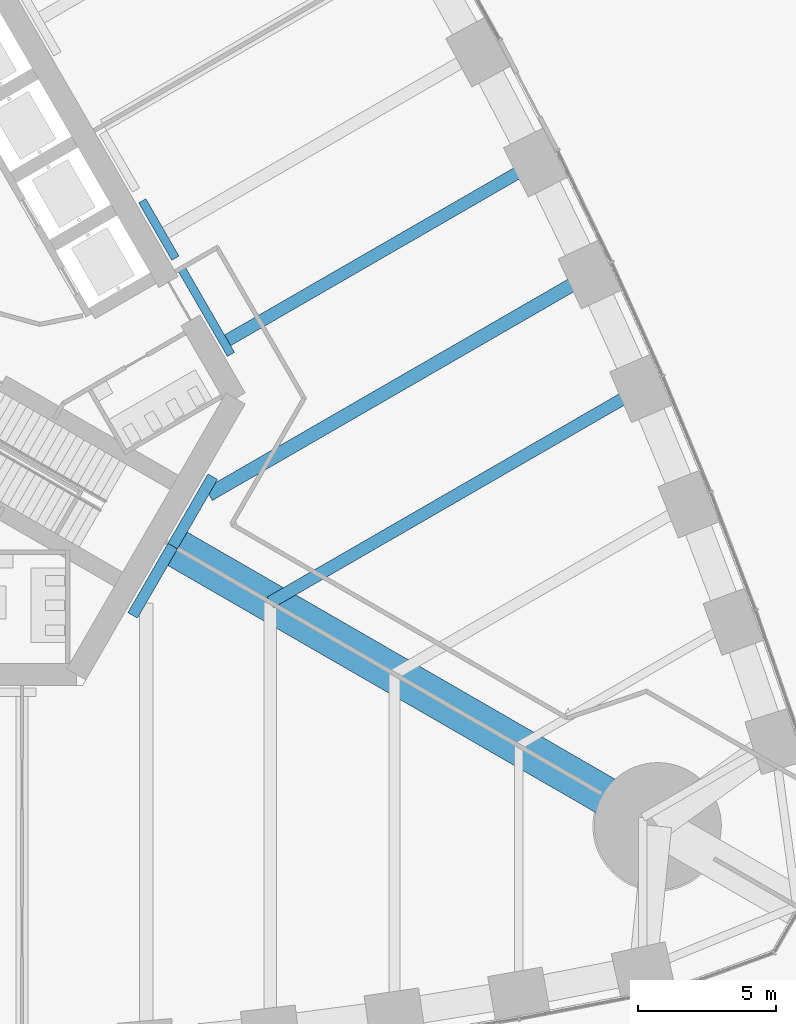
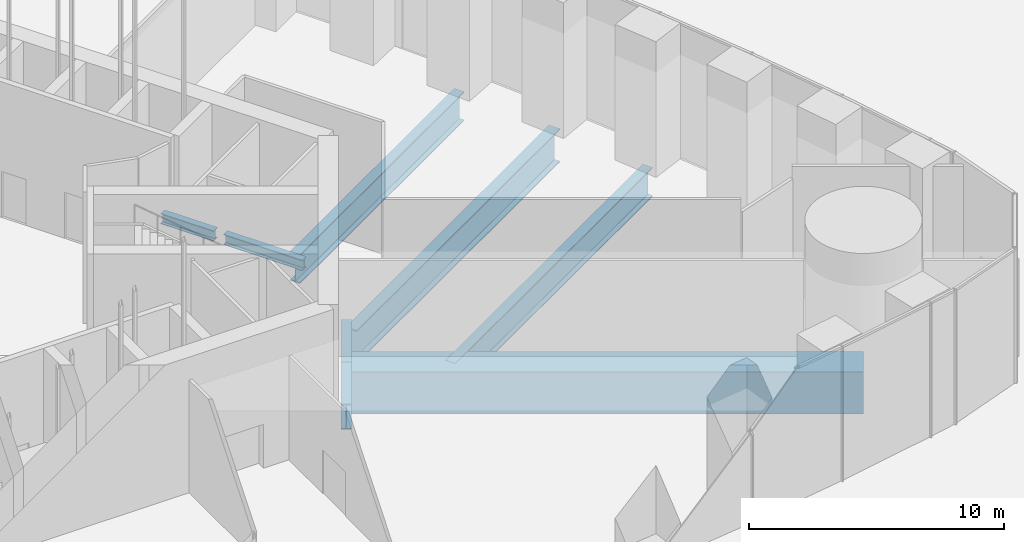
# One storey, part 6 of 43: 8 beams.
"""IFC4 building model written with IfcOpenShell, lengths in metres."""

import ifcopenshell
import ifcopenshell.guid

model = None  # the IFC model being written
_history = None  # IfcOwnerHistory: only IFC2X3 demands one
_inside = {}  # id of a spatial element -> (the spatial element, [elements in it])
_under = {}  # id of a project, library or spatial element -> (it, [spatial elements below it])
_declared = {}  # id of a project -> (the project, [libraries it declares])
_typed = {}  # id of a type object -> (the type object, [elements of that type])
_made_of = {}  # id of a material, layer set ... -> (it, [elements and type objects made of it])


def new_model(schema):
    """Start an empty IFC model of exactly this schema.

    Asked for "IFC4X3", IfcOpenShell would pick the latest addendum, in which some entities
    have other attributes; the version numbers below select the first issue.
    IFC2X3 requires an IfcOwnerHistory on every rooted entity: one is made here for all.
    """
    global model, _history
    if schema == "IFC4X3":
        model = ifcopenshell.file(schema_version=(4, 3, 0, 0))
    else:
        model = ifcopenshell.file(schema=schema)
    _inside.clear()
    _under.clear()
    _declared.clear()
    _typed.clear()
    _made_of.clear()
    _history = None
    if model.schema == "IFC2X3":
        org = make("IfcOrganization", Name="unknown")
        user = make(
            "IfcPersonAndOrganization",
            ThePerson=make("IfcPerson", FamilyName="unknown"),
            TheOrganization=org,
        )
        app = make(
            "IfcApplication",
            ApplicationDeveloper=org,
            Version="unknown",
            ApplicationFullName="unknown",
            ApplicationIdentifier="unknown",
        )
        _history = make(
            "IfcOwnerHistory",
            OwningUser=user,
            OwningApplication=app,
            ChangeAction="ADDED",
            CreationDate=0,
        )
    return model


def make(cls, **values):
    """One entity of the class cls with the attributes given. An attribute that is None is left unset."""
    return model.create_entity(
        cls, **{name: value for name, value in values.items() if value is not None}
    )


def rooted(cls, **values):
    """An entity with a GlobalId (a new one), such as an element, a storey or a relation."""
    return make(cls, GlobalId=ifcopenshell.guid.new(), OwnerHistory=_history, **values)


def si_unit(unit_type, name, prefix=None):
    """IfcSIUnit, for example si_unit("LENGTHUNIT", "METRE", prefix="MILLI")."""
    return make("IfcSIUnit", UnitType=unit_type, Prefix=prefix, Name=name)


def assignment(units):
    """IfcUnitAssignment: the units of a project."""
    return None if units is None else make("IfcUnitAssignment", Units=units)


def point(xyz):
    """IfcCartesianPoint."""
    return None if xyz is None else make("IfcCartesianPoint", Coordinates=xyz)


def direction(xyz):
    """IfcDirection."""
    return None if xyz is None else make("IfcDirection", DirectionRatios=xyz)


def frame(location, z_axis=None, x_axis=None):
    """IfcAxis2Placement3D, a coordinate frame: its origin and axes. An axis left out is left unset."""
    return make(
        "IfcAxis2Placement3D",
        Location=point(location),
        Axis=direction(z_axis),
        RefDirection=direction(x_axis),
    )


def frame_2d(location, x_axis=None):
    """IfcAxis2Placement2D, a coordinate frame in the plane: its origin and x axis."""
    return make(
        "IfcAxis2Placement2D", Location=point(location), RefDirection=direction(x_axis)
    )


def origin():
    """The frame at (0, 0, 0) with its axes left unset."""
    return frame((0.0, 0.0, 0.0))


def origin_2d():
    """The frame at (0, 0) in the plane with its x axis left unset."""
    return frame_2d((0.0, 0.0))


def place(relative_to, where):
    """IfcLocalPlacement: puts the frame where relative to a parent placement (None: the world)."""
    return make(
        "IfcLocalPlacement", PlacementRelTo=relative_to, RelativePlacement=where
    )


def context(
    kind, dimensions, precision=None, world=None, true_north=None, identifier=None
):
    """IfcGeometricRepresentationContext, for example the 3D "Model" context."""
    return make(
        "IfcGeometricRepresentationContext",
        ContextIdentifier=identifier,
        ContextType=kind,
        CoordinateSpaceDimension=dimensions,
        Precision=precision,
        WorldCoordinateSystem=world,
        TrueNorth=true_north,
    )


def subcontext(parent, identifier, kind, view, scale=None):
    """IfcGeometricRepresentationSubContext, for example "Body" below "Model"."""
    return make(
        "IfcGeometricRepresentationSubContext",
        ContextIdentifier=identifier,
        ContextType=kind,
        ParentContext=parent,
        TargetScale=scale,
        TargetView=view,
    )


def project(units=None, contexts=None):
    """IfcProject with its units and contexts."""
    return rooted(
        "IfcProject",
        Name="project",
        RepresentationContexts=contexts,
        UnitsInContext=assignment(units),
    )


def spatial(cls, under=None, at=None, **own):
    """A site, building, storey or space (cls), placed at a placement, below another one or the project."""
    s = rooted(cls, ObjectPlacement=at, **own)
    if under is not None:
        _under.setdefault(under.id(), (under, []))[1].append(s)
    return s


def profile(cls, at=None, kind="AREA", **sizes):
    """A parametric profile (cls). Its sizes go by their IFC names, for example OverallWidth=200.0."""
    return make(cls, ProfileType=kind, Position=at, **sizes)


def rectangle(**sizes):
    """IfcRectangleProfileDef."""
    return profile("IfcRectangleProfileDef", **sizes)


def i_section(**sizes):
    """IfcIShapeProfileDef."""
    return profile("IfcIShapeProfileDef", **sizes)


def extrude(swept, where, along, depth):
    """IfcExtrudedAreaSolid: the profile swept, set in the frame where, extruded along a direction by depth."""
    return make(
        "IfcExtrudedAreaSolid",
        SweptArea=swept,
        Position=where,
        ExtrudedDirection=direction(along),
        Depth=depth,
    )


def shape(context_of_items, identifier, shape_type, items):
    """IfcShapeRepresentation: the items that make up one representation, for example the "Body"."""
    return make(
        "IfcShapeRepresentation",
        ContextOfItems=context_of_items,
        RepresentationIdentifier=identifier,
        RepresentationType=shape_type,
        Items=items,
    )


def material(Name=None, Category=None):
    """IfcMaterial."""
    return make("IfcMaterial", Name=Name, Category=Category)


def material_profile(
    of_material, cross_section, Name=None, Category=None, Priority=None
):
    """IfcMaterialProfile: a cross section and its material."""
    return make(
        "IfcMaterialProfile",
        Name=Name,
        Material=of_material,
        Profile=cross_section,
        Priority=Priority,
        Category=Category,
    )


def profile_set(profiles, Name=None, composite=None):
    """IfcMaterialProfileSet."""
    return make(
        "IfcMaterialProfileSet",
        Name=Name,
        MaterialProfiles=profiles,
        CompositeProfile=composite,
    )


def made_of(thing, what):
    """Note that an element or type object is made of a material, layer set ...; save() writes the relation."""
    if what is not None:
        _made_of.setdefault(what.id(), (what, []))[1].append(thing)
    return thing


def type_object(cls, material=None, **own):
    """A type object (cls), such as IfcWallType, which elements share."""
    return made_of(rooted(cls, **own), material)


def element(
    cls,
    number,
    at=None,
    inside=None,
    cuts=None,
    type_object=None,
    material=None,
    context=None,
    identifier="Body",
    shape_type=None,
    held_by="IfcProductDefinitionShape",
    body=None,
    shapes=None,
    **own,
):
    """One element of the class cls, such as IfcWall. Its Tag is "e" and its number.

    at: its placement. inside: the storey or other place that contains it. cuts: it is an
    opening in that element (IfcRelVoidsElement). A single representation is given by context,
    identifier, shape_type and body (its items); several are given by shapes. held_by: the class
    of the entity that holds the representations. save() writes the other relations.
    """
    e = rooted(cls, Tag="e%d" % number, ObjectPlacement=at, **own)
    if body is not None:
        shapes = [shape(context, identifier, shape_type, body)]
    if shapes is not None:
        e.Representation = make(held_by, Representations=shapes)
    if inside is not None:
        _inside.setdefault(inside.id(), (inside, []))[1].append(e)
    if cuts is not None:
        rooted(
            "IfcRelVoidsElement", RelatingBuildingElement=cuts, RelatedOpeningElement=e
        )
    if type_object is not None:
        _typed.setdefault(type_object.id(), (type_object, []))[1].append(e)
    return made_of(e, material)


def aggregate(whole, parts):
    """IfcRelAggregates: a whole, such as a stair, and the parts it consists of."""
    return rooted("IfcRelAggregates", RelatingObject=whole, RelatedObjects=parts)


def save(model, path):
    """Write the relations noted so far, then the file.

    IfcRelAggregates (storeys below a building ...), IfcRelContainedInSpatialStructure (elements
    in a storey), IfcRelDefinesByType, IfcRelAssociatesMaterial and IfcRelDeclares: one each for
    every whole, place, type object, material and project.
    """
    for whole, parts in _under.values():
        aggregate(whole, parts)
    for where, things in _inside.values():
        rooted(
            "IfcRelContainedInSpatialStructure",
            RelatedElements=things,
            RelatingStructure=where,
        )
    for kind, things in _typed.values():
        rooted("IfcRelDefinesByType", RelatedObjects=things, RelatingType=kind)
    for what, things in _made_of.values():
        rooted("IfcRelAssociatesMaterial", RelatedObjects=things, RelatingMaterial=what)
    for by, libraries in _declared.values():
        rooted("IfcRelDeclares", RelatingContext=by, RelatedDefinitions=libraries)
    model.write(path)


model = new_model("IFC4")

# Units and contexts
model_context = context("Model", 3, precision=1e-05, world=origin(), true_north=direction((0.0, 1.0)))
body_context = subcontext(model_context, "Body", "Model", "MODEL_VIEW")
ifc_project = project(units=[si_unit("LENGTHUNIT", "METRE"), si_unit("AREAUNIT", "SQUARE_METRE"), si_unit("VOLUMEUNIT", "CUBIC_METRE"), si_unit("PLANEANGLEUNIT", "RADIAN"), si_unit("MASSUNIT", "GRAM", prefix="KILO")], contexts=[model_context])

# Site, building, storey
site_placement = place(None, origin())
site = spatial("IfcSite", under=ifc_project, at=site_placement, CompositionType="ELEMENT")
building_placement = place(site_placement, origin())
building = spatial("IfcBuilding", under=site, at=building_placement, Name="Trefoil Bronze Tower", CompositionType="ELEMENT")
storey_placement = place(building_placement, origin())
storey = spatial("IfcBuildingStorey", under=building, at=storey_placement, Name="L00", CompositionType="ELEMENT", Elevation=0.0)

# Beams
ifc_material_1 = material(Name="Steel C355", Category="steel")
ifc_material_profile_1 = material_profile(ifc_material_1, i_section(OverallWidth=0.300048828125, OverallDepth=0.5, WebThickness=0.014404296875, FlangeThickness=0.028076171875, FilletRadius=0.027099609375, at=origin_2d()), Name="HEB 500")
ifc_profile_set_1 = profile_set([ifc_material_profile_1], Name="Steel C355")
beam_type_1 = type_object("IfcBeamType", Name="Core seat beam HEB 500", PredefinedType="BEAM", material=ifc_profile_set_1)
beam_1_placement = place(storey_placement, frame((16.5712890625, -1.40234375, -0.550048828125), z_axis=(-0.50000224766, 0.866024106094, 0.0), x_axis=(-0.866024106094, -0.50000224766, 0.0)))
element("IfcBeam", 1, at=beam_1_placement, inside=storey, type_object=beam_type_1, Name="Core seat beam F2/-2 L00", PredefinedType="BEAM", context=body_context, shape_type="SweptSolid", body=[
    extrude(i_section(OverallWidth=0.300048828125, OverallDepth=0.5, WebThickness=0.014404296875, FlangeThickness=0.028076171875, FilletRadius=0.027099609375, at=origin_2d()), origin(), (0.0, 0.0, 1.0), 3.5751953125),
])
beam_2_placement = place(storey_placement, frame((14.558837890625, 2.08349609375, -0.550048828125), z_axis=(-0.500077600433, 0.865980596518, 0.0), x_axis=(-0.865980596518, -0.500077600433, 0.0)))
element("IfcBeam", 2, at=beam_2_placement, inside=storey, type_object=beam_type_1, Name="Core seat beam F2/-1 L00", PredefinedType="BEAM", context=body_context, shape_type="SweptSolid", body=[
    extrude(i_section(OverallWidth=0.300048828125, OverallDepth=0.5, WebThickness=0.014404296875, FlangeThickness=0.028076171875, FilletRadius=0.027099609375, at=origin_2d()), origin(), (0.0, 0.0, 1.0), 2.39990234375),
])
ifc_material_2 = material(Name="Steel C355", Category="steel")
ifc_material_profile_2 = material_profile(ifc_material_2, i_section(OverallWidth=0.39990234375, OverallDepth=1.199951171875, WebThickness=0.02001953125, FlangeThickness=0.0400390625, FilletRadius=0.010009765625, at=origin_2d()), Name="WPG 1200")
ifc_profile_set_2 = profile_set([ifc_material_profile_2], Name="Steel C355")
beam_type_2 = type_object("IfcBeamType", Name="Core seat beam WPG 1200", PredefinedType="BEAM", material=ifc_profile_set_2)
beam_3_placement = place(storey_placement, frame((13.011962890625, -10.862548828125, -0.89990234375), z_axis=(0.500030823262, 0.866007607235, 0.0), x_axis=(-0.866007607235, 0.500030823262, 0.0)))
element("IfcBeam", 3, at=beam_3_placement, inside=storey, type_object=beam_type_2, Name="Core seat beam F1/+3 L00", PredefinedType="BEAM", context=body_context, shape_type="SweptSolid", body=[
    extrude(i_section(OverallWidth=0.39990234375, OverallDepth=1.199951171875, WebThickness=0.02001953125, FlangeThickness=0.0400390625, FilletRadius=0.010009765625, at=origin_2d()), origin(), (0.0, 0.0, 1.0), 2.901123046875),
])
beam_4_placement = place(storey_placement, frame((14.462646484375, -8.35009765625, -0.89990234375), z_axis=(0.499994385119, 0.866028645513, 0.0), x_axis=(-0.866028645513, 0.499994385119, 0.0)))
element("IfcBeam", 4, at=beam_4_placement, inside=storey, type_object=beam_type_2, Name="Core seat beam F2/-3 L00", PredefinedType="BEAM", context=body_context, shape_type="SweptSolid", body=[
    extrude(i_section(OverallWidth=0.39990234375, OverallDepth=1.199951171875, WebThickness=0.02001953125, FlangeThickness=0.0400390625, FilletRadius=0.010009765625, at=origin_2d()), origin(), (0.0, 0.0, 1.0), 2.9013671875),
])
ifc_material_3 = material(Name="Concrete B80", Category="concrete")
ifc_material_profile_3 = material_profile(ifc_material_3, rectangle(XDim=1.39990234375, YDim=2.0, at=origin_2d()), Name="RC 1400x2000")
ifc_profile_set_3 = profile_set([ifc_material_profile_3], Name="Concrete B80")
beam_type_3 = type_object("IfcBeamType", Name="Corner girder RC 1400x2000", PredefinedType="BEAM", material=ifc_profile_set_3)
beam_5_placement = place(storey_placement, frame((14.289306640625, -8.25, -1.300048828125), z_axis=(0.866027127327, -0.499997014724, 0.0), x_axis=(0.499997014724, 0.866027127327, 0.0)))
element("IfcBeam", 5, at=beam_5_placement, inside=storey, type_object=beam_type_3, Name="Corner girder K1 L00", PredefinedType="BEAM", context=body_context, shape_type="SweptSolid", body=[
    extrude(rectangle(XDim=1.39990234375, YDim=2.0, at=origin_2d()), origin(), (0.0, 0.0, 1.0), 20.500244140625),
])
ifc_material_4 = material(Name="Steel C355", Category="steel")
ifc_material_profile_4 = material_profile(ifc_material_4, i_section(OverallWidth=0.449951171875, OverallDepth=1.39990234375, WebThickness=0.02294921875, FlangeThickness=0.044921875, FilletRadius=0.011962890625, at=origin_2d()), Name="WPG 1400")
ifc_profile_set_4 = profile_set([ifc_material_profile_4], Name="Steel C355")
beam_type_4 = type_object("IfcBeamType", Name="Floor beam WPG 1400", PredefinedType="BEAM", material=ifc_profile_set_4)
beam_6_placement = place(storey_placement, frame((31.42578125, -2.640869140625, -1.0), z_axis=(-0.866022989816, -0.500004181093, 0.0), x_axis=(0.500004181093, -0.866022989816, 0.0)))
element("IfcBeam", 6, at=beam_6_placement, inside=storey, type_object=beam_type_4, Name="Floor beam F2/-4 L00", PredefinedType="BEAM", context=body_context, shape_type="SweptSolid", body=[
    extrude(i_section(OverallWidth=0.449951171875, OverallDepth=1.39990234375, WebThickness=0.02294921875, FlangeThickness=0.044921875, FilletRadius=0.011962890625, at=origin_2d()), origin(), (0.0, 0.0, 1.0), 15.502685546875),
])
beam_7_placement = place(storey_placement, frame((27.61083984375, 5.548828125, -1.0), z_axis=(-0.866022785136, -0.500004535605, 0.0), x_axis=(0.500004535605, -0.866022785136, 0.0)))
element("IfcBeam", 7, at=beam_7_placement, inside=storey, type_object=beam_type_4, Name="Floor beam F2/-2 L00", PredefinedType="BEAM", context=body_context, shape_type="SweptSolid", body=[
    extrude(i_section(OverallWidth=0.449951171875, OverallDepth=1.39990234375, WebThickness=0.02294921875, FlangeThickness=0.044921875, FilletRadius=0.011962890625, at=origin_2d()), origin(), (0.0, 0.0, 1.0), 12.88623046875),
])
ifc_material_5 = material(Name="Steel C355", Category="steel")
ifc_material_profile_5 = material_profile(ifc_material_5, i_section(OverallWidth=0.5, OverallDepth=1.60009765625, WebThickness=0.02587890625, FlangeThickness=0.050048828125, FilletRadius=0.011962890625, at=origin_2d()), Name="WPG 1600")
ifc_profile_set_5 = profile_set([ifc_material_profile_5], Name="Steel C355")
beam_type_5 = type_object("IfcBeamType", Name="Floor beam WPG 1600", PredefinedType="BEAM", material=ifc_profile_set_5)
beam_8_placement = place(storey_placement, frame((29.575927734375, 1.487060546875, -1.10009765625), z_axis=(-0.866028978026, -0.499993809181, 0.0), x_axis=(0.499993809181, -0.866028978026, 0.0)))
element("IfcBeam", 8, at=beam_8_placement, inside=storey, type_object=beam_type_5, Name="Floor beam F2/-3 L00", PredefinedType="BEAM", context=body_context, shape_type="SweptSolid", body=[
    extrude(i_section(OverallWidth=0.5, OverallDepth=1.60009765625, WebThickness=0.02587890625, FlangeThickness=0.050048828125, FilletRadius=0.011962890625, at=origin_2d()), origin(), (0.0, 0.0, 1.0), 15.939697265625),
])

save(model, "model.ifc")
